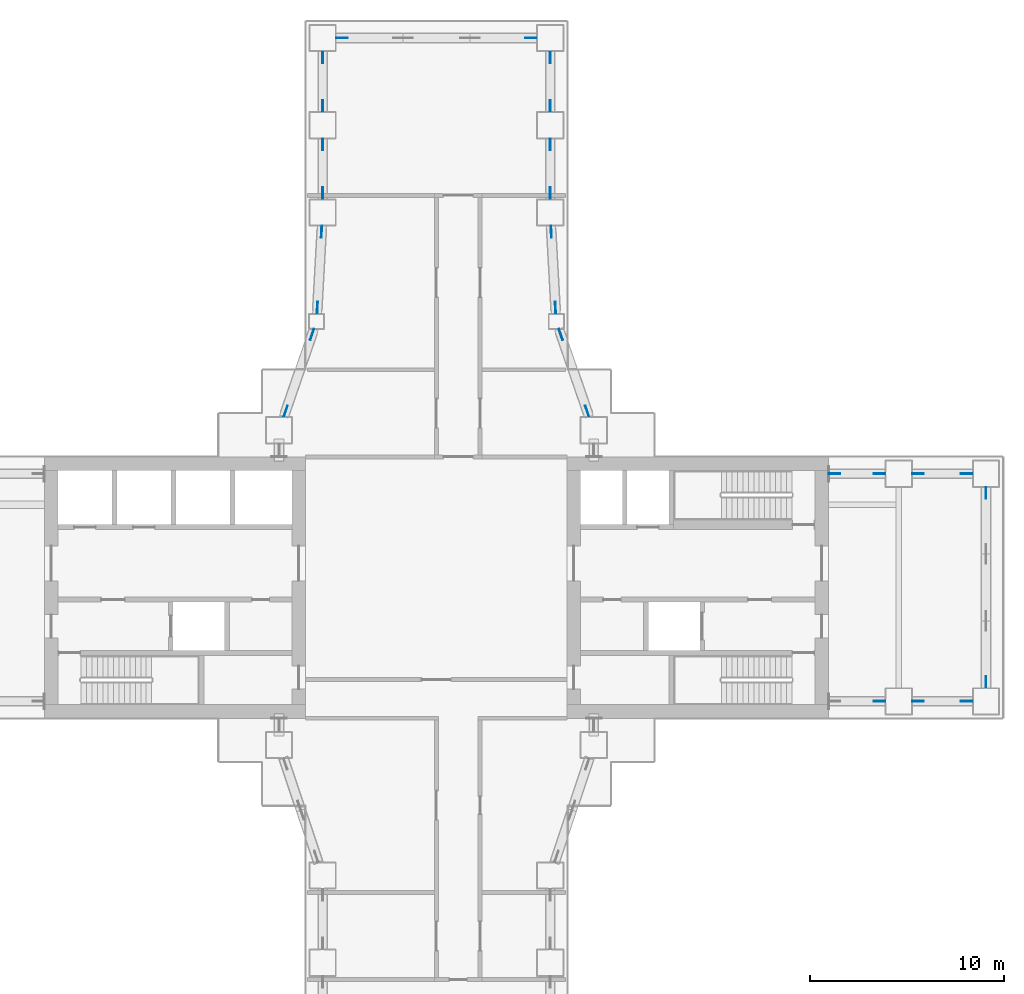
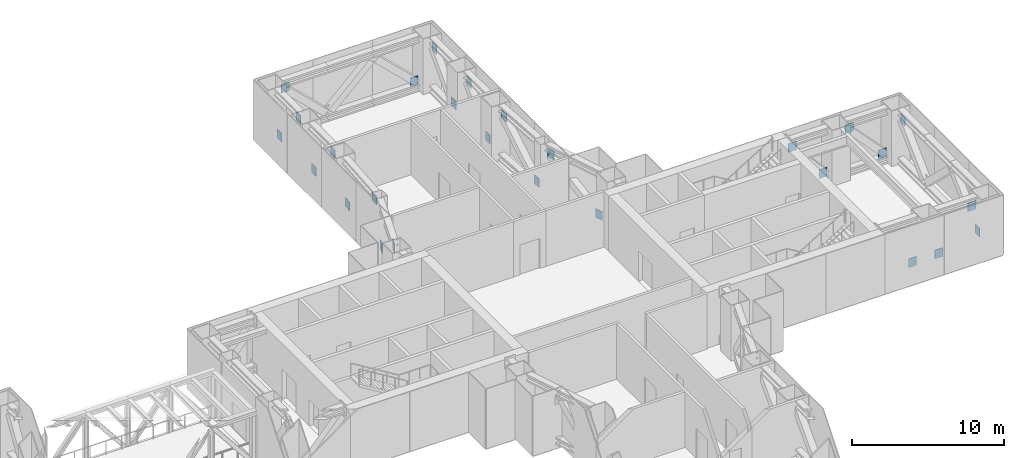
# One storey, part 21 of 23: 27 discrete accessories.
"""IFC4 building model written with IfcOpenShell, lengths in metres."""

from ifc_helpers import new_model, si_unit, direction, frame, origin, origin_2d, place, context, subcontext, project, spatial, rectangle, extrude, material, layer, layer_set, type_object, element, save


model = new_model("IFC4")

# Units and contexts
model_context = context("Model", 3, precision=1e-05, world=origin(), true_north=direction((0.0, 1.0)))
body_context = subcontext(model_context, "Body", "Model", "MODEL_VIEW")
ifc_project = project(units=[si_unit("LENGTHUNIT", "METRE"), si_unit("AREAUNIT", "SQUARE_METRE"), si_unit("VOLUMEUNIT", "CUBIC_METRE"), si_unit("PLANEANGLEUNIT", "RADIAN"), si_unit("MASSUNIT", "GRAM", prefix="KILO")], contexts=[model_context])

# Site, building, storey
site_placement = place(None, origin())
site = spatial("IfcSite", under=ifc_project, at=site_placement, CompositionType="ELEMENT")
building_placement = place(site_placement, origin())
building = spatial("IfcBuilding", under=site, at=building_placement, Name="Shamsa Quay Exchange Towers", CompositionType="ELEMENT")
storey_placement = place(building_placement, frame((0.0, 0.0, 77.10009765625)))
storey = spatial("IfcBuildingStorey", under=building, at=storey_placement, Name="L17", CompositionType="ELEMENT", Elevation=77.10009765625)

# Discrete accessories
ifc_material = material(Name="Steel S355", Category="steel")
ifc_layer = layer(ifc_material, 0.0400390625)
ifc_layer_set = layer_set([ifc_layer], Name="End plate 600x700x40")
discrete_accessory_type = type_object("IfcDiscreteAccessoryType", Name="End plate 600x700x40", PredefinedType="BRACKET", material=ifc_layer_set)
discrete_accessory_placement = place(storey_placement, frame((56.625, -5.875, 0.41943359375), z_axis=(0.0, 0.0, 1.0), x_axis=(-1.0, 0.0, 0.0)))
element("IfcDiscreteAccessory", 1, at=discrete_accessory_placement, inside=storey, type_object=discrete_accessory_type, Name="End plate T2 L17", PredefinedType="BRACKET", context=body_context, shape_type="SweptSolid", body=[
    extrude(rectangle(XDim=0.60009765625, YDim=0.0400390625, at=origin_2d()), origin(), (0.0, 0.0, 1.0), 0.699951171875),
])
for number, where, name in (
    (2, (58.625, -5.875, 0.41943359375), "End plate T2 L17"),
    (3, (61.125, -5.875, 3.33056640625), "End plate T2 L17"),
):
    element("IfcDiscreteAccessory", number, at=place(storey_placement, frame(where)), inside=storey, type_object=discrete_accessory_type, Name=name, PredefinedType="BRACKET", context=body_context, shape_type="SweptSolid", body=[
        extrude(rectangle(XDim=0.60009765625, YDim=0.0400390625, at=origin_2d()), origin(), (0.0, 0.0, 1.0), 0.699951171875),
    ])
for number, where, z_axis, x_axis, name in (
    (4, (62.125, -4.875, 0.41943359375), (0.0, 0.0, 1.0), (0.0, 1.0, 0.0), "End plate T2 L17"),
    (5, (62.125, 4.875, 3.33056640625), (0.0, 0.0, 1.0), (0.0, 1.0, 0.0), "End plate T2 L17"),
    (6, (61.125, 5.875, 0.41943359375), (0.0, 0.0, 1.0), (-1.0, 0.0, 0.0), "End plate T2 L17"),
    (7, (58.625, 5.875, 3.33056640625), (0.0, 0.0, 1.0), (-1.0, 0.0, 0.0), "End plate T2 L17"),
    (8, (56.625, 5.875, 0.41943359375), (0.0, 0.0, 1.0), (-1.0, 0.0, 0.0), "End plate T2 L17"),
    (9, (54.300048828125, 5.875, 3.33056640625), (0.0, 0.0, 1.0), (-1.0, 0.0, 0.0), "End plate T2 L17"),
    (10, (41.5361328125, 9.108642578125, 0.41943359375), (0.0, 0.0, 1.0), (-0.325666906351, 0.945484566827, 0.0), "End plate T2 L17"),
    (11, (40.173095703125, 13.06640625, 3.33056640625), (0.0, 0.0, 1.0), (-0.325666906351, 0.945484566827, 0.0), "End plate T2 L17"),
    (12, (39.898681640625, 14.449462890625, 0.41943359375), (0.0, 0.0, 1.0), (-0.055470019625, 0.998460353205, 0.0), "End plate T2 L17"),
    (13, (39.680419921875, 18.37548828125, 3.33056640625), (0.0, 0.0, 1.0), (-0.055470019625, 0.998460353205, 0.0), "End plate T2 L17"),
    (14, (39.625, 20.375, 0.41943359375), (0.0, 0.0, 1.0), (0.0, 1.0, 0.0), "End plate T2 L17"),
    (15, (39.625, 22.875, 3.33056640625), (0.0, 0.0, 1.0), (0.0, 1.0, 0.0), "End plate T2 L17"),
    (16, (39.625, 24.875, 0.41943359375), (0.0, 0.0, 1.0), (0.0, 1.0, 0.0), "End plate T2 L17"),
    (17, (39.625, 27.375, 3.33056640625), (0.0, 0.0, 1.0), (0.0, 1.0, 0.0), "End plate T2 L17"),
    (18, (38.625, 28.375, 0.41943359375), (0.0, 0.0, 1.0), (-1.0, 0.0, 0.0), "End plate T2 L17"),
    (19, (28.875, 28.375, 3.33056640625), (0.0, 0.0, 1.0), (-1.0, 0.0, 0.0), "End plate T2 L17"),
    (20, (27.875, 27.375, 0.41943359375), (0.0, 0.0, 1.0), (0.0, -1.0, 0.0), "End plate T2 L17"),
    (21, (27.875, 24.875, 3.33056640625), (0.0, 0.0, 1.0), (0.0, -1.0, 0.0), "End plate T2 L17"),
    (22, (27.875, 22.875, 0.41943359375), (0.0, 0.0, 1.0), (0.0, -1.0, 0.0), "End plate T2 L17"),
    (23, (27.875, 20.375, 3.33056640625), (0.0, 0.0, 1.0), (0.0, -1.0, 0.0), "End plate T2 L17"),
    (24, (27.819580078125, 18.37548828125, 0.41943359375), (0.0, 0.0, 1.0), (-0.055470019625, -0.998460353205, 0.0), "End plate T2 L17"),
    (25, (27.601318359375, 14.449462890625, 3.33056640625), (0.0, 0.0, 1.0), (-0.055470019625, -0.998460353205, 0.0), "End plate T2 L17"),
    (26, (27.326904296875, 13.06640625, 0.41943359375), (0.0, 0.0, 1.0), (-0.325666906351, -0.945484566827, 0.0), "End plate T2 L17"),
    (27, (25.9638671875, 9.108642578125, 3.33056640625), (0.0, 0.0, 1.0), (-0.325666906351, -0.945484566827, 0.0), "End plate T2 L17"),
):
    element("IfcDiscreteAccessory", number, at=place(storey_placement, frame(where, z_axis=z_axis, x_axis=x_axis)), inside=storey, type_object=discrete_accessory_type, Name=name, PredefinedType="BRACKET", context=body_context, shape_type="SweptSolid", body=[
        extrude(rectangle(XDim=0.60009765625, YDim=0.0400390625, at=origin_2d()), origin(), (0.0, 0.0, 1.0), 0.699951171875),
    ])

save(model, "model.ifc")
